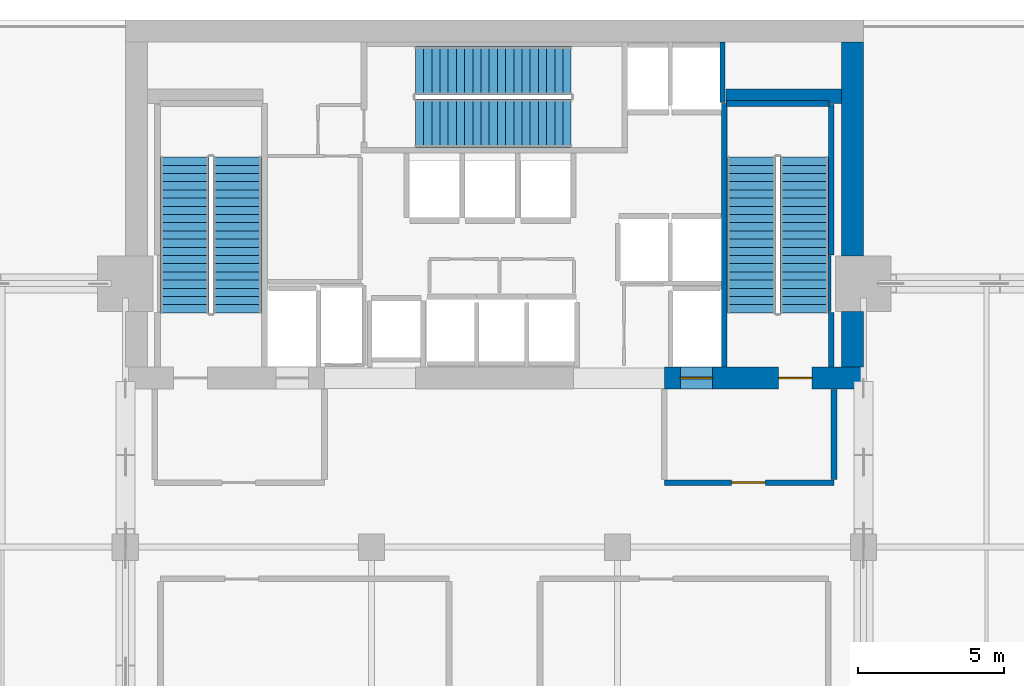
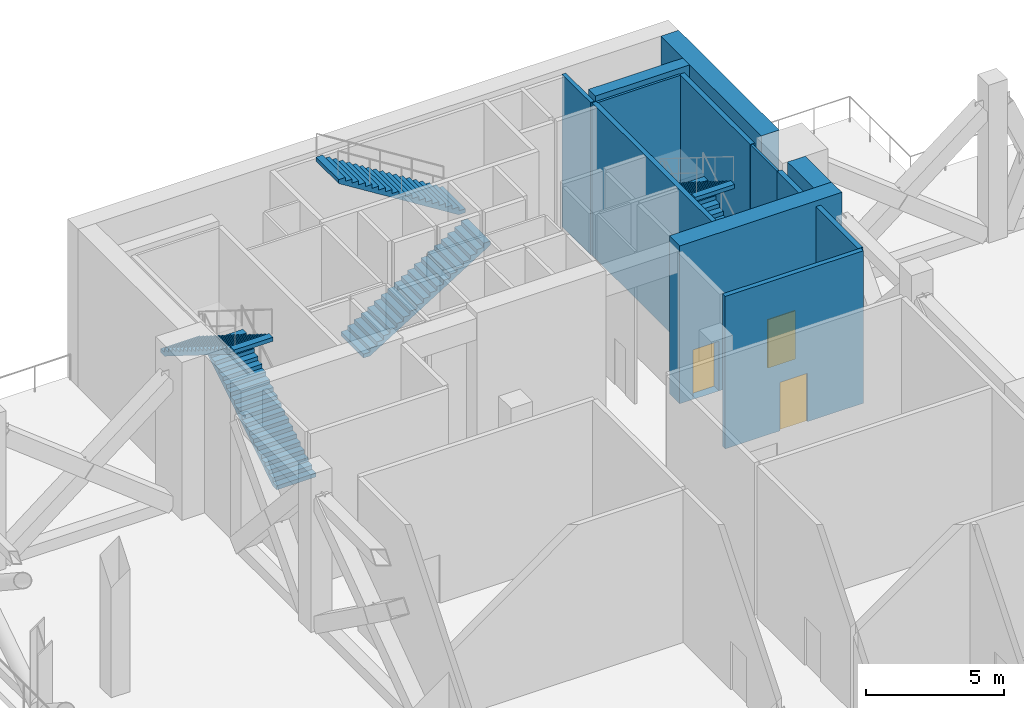
# One storey, part 11 of 14: 12 walls, 6 stair flights, 3 doors, 3 openings, 3 elements without a shape of their own.
"""IFC4 building model written with IfcOpenShell, lengths in metres."""

from ifc_helpers import new_model, si_unit, direction, frame, frame_2d, origin, place, context, subcontext, project, spatial, polyline, rectangle, outline, extrude, material, layer, layer_set, type_object, element, fill, aggregate, save


model = new_model("IFC4")

# Units and contexts
model_context = context("Model", 3, precision=1e-05, world=origin(), true_north=direction((0.0, 1.0)))
body_context = subcontext(model_context, "Body", "Model", "MODEL_VIEW")
ifc_project = project(units=[si_unit("LENGTHUNIT", "METRE"), si_unit("AREAUNIT", "SQUARE_METRE"), si_unit("VOLUMEUNIT", "CUBIC_METRE"), si_unit("PLANEANGLEUNIT", "RADIAN"), si_unit("MASSUNIT", "GRAM", prefix="KILO")], contexts=[model_context])

# Site, building, storey
site_placement = place(None, origin())
site = spatial("IfcSite", under=ifc_project, at=site_placement, CompositionType="ELEMENT")
building_placement = place(site_placement, origin())
building = spatial("IfcBuilding", under=site, at=building_placement, Name="Maruvema Waterfront Hotel and Observation Tower", CompositionType="ELEMENT")
storey_placement = place(building_placement, frame((0.0, 0.0, 227.5)))
storey = spatial("IfcBuildingStorey", under=building, at=storey_placement, Name="L56", CompositionType="ELEMENT", Elevation=227.5)

# Walls
ifc_material_1 = material(Name="Precast concrete C45/55", Category="concrete")
ifc_layer_1 = layer(ifc_material_1, 0.199951171875, Name="Core Shaft and Stairwell Enclosure Wall 200 mm")
ifc_layer_set_1 = layer_set([ifc_layer_1], Name="Precast concrete C45/55")
wall_type_1 = type_object("IfcWallType", Name="Core Shaft and Stairwell Enclosure Wall 200 mm", PredefinedType="SOLIDWALL", material=ifc_layer_set_1)
wall_1_placement = place(storey_placement, frame((45.64990234375, 42.14990234375, 0.0), z_axis=(0.0, 0.0, 1.0), x_axis=(0.0, 1.0, 0.0)))
element("IfcWall", 1, at=wall_1_placement, inside=storey, type_object=wall_type_1, Name="L56 Stairwell ST-03 West Shaft Wall", PredefinedType="SOLIDWALL", context=body_context, shape_type="SweptSolid", body=[
    extrude(rectangle(XDim=9.0, YDim=0.199951171875, at=frame_2d((4.5, 0.0))), origin(), (0.0, 0.0, 1.0), 6.760009765625),
])
wall_2_placement = place(storey_placement, frame((49.300048828125, 42.14990234375, 0.0), z_axis=(0.0, 0.0, 1.0), x_axis=(0.0, 1.0, 0.0)))
element("IfcWall", 2, at=wall_2_placement, inside=storey, type_object=wall_type_1, Name="L56 Stairwell ST-03 Shaft Lining Wall", PredefinedType="SOLIDWALL", context=body_context, shape_type="SweptSolid", body=[
    extrude(rectangle(XDim=1.8701171875, YDim=0.199951171875, at=frame_2d((0.93505859375, 0.0))), origin(), (0.0, 0.0, 1.0), 6.760009765625),
])
wall_3_placement = place(storey_placement, frame((49.300048828125, 45.97998046875, 0.0), z_axis=(0.0, 0.0, 1.0), x_axis=(0.0, 1.0, 0.0)))
element("IfcWall", 3, at=wall_3_placement, inside=storey, type_object=wall_type_1, Name="L56 Stairwell ST-03 Shaft Lining Wall", PredefinedType="SOLIDWALL", context=body_context, shape_type="SweptSolid", body=[
    extrude(rectangle(XDim=5.14013671875, YDim=0.199951171875, at=frame_2d((2.570068359375, 0.0))), origin(), (0.0, 0.0, 1.0), 6.760009765625),
])
wall_4_placement = place(storey_placement, frame((45.719970703125, 51.14990234375, 0.0), z_axis=(0.0, 0.0, 1.0), x_axis=(1.0, 0.0, 0.0)))
element("IfcWall", 4, at=wall_4_placement, inside=storey, type_object=wall_type_1, Name="L56 Stairwell ST-03 Shaft Lining Wall", PredefinedType="SOLIDWALL", context=body_context, shape_type="SweptSolid", body=[
    extrude(rectangle(XDim=3.5, YDim=0.199951171875, at=frame_2d((1.75, 0.0))), origin(), (0.0, 0.0, 1.0), 6.760009765625),
])
ifc_material_2 = material(Name="Concrete C70/85", Category="concrete")
ifc_layer_2 = layer(ifc_material_2, 0.5, Name="Core Shear Wall 500 mm")
ifc_layer_set_2 = layer_set([ifc_layer_2], Name="Concrete C70/85")
wall_type_2 = type_object("IfcWallType", Name="Core Shear Wall 500 mm", PredefinedType="SHEAR", material=ifc_layer_set_2)
wall_5_placement = place(storey_placement, frame((45.699951171875, 51.39990234375, 0.0), z_axis=(0.0, 0.0, 1.0), x_axis=(1.0, 0.0, 0.0)))
element("IfcWall", 5, at=wall_5_placement, inside=storey, type_object=wall_type_2, Name="L56 Internal Core Shear Wall NE 500 mm", PredefinedType="SHEAR", context=body_context, shape_type="SweptSolid", body=[
    extrude(rectangle(XDim=3.949951171875, YDim=0.5, at=frame_2d((1.97509765625, 0.0))), origin(), (0.0, 0.0, 1.0), 7.0),
])

# Wall, openings, doors
ifc_material_3 = material(Name="Concrete C70/85", Category="concrete")
ifc_layer_3 = layer(ifc_material_3, 0.75, Name="Core Shear Wall 750 mm")
ifc_layer_set_3 = layer_set([ifc_layer_3], Name="Concrete C70/85")
wall_type_3 = type_object("IfcWallType", Name="Core Shear Wall 750 mm", PredefinedType="SHEAR", material=ifc_layer_set_3)
wall_6_placement = place(storey_placement, frame((43.60009765625, 41.77490234375, 0.0), z_axis=(0.0, 0.0, 1.0), x_axis=(1.0, 0.0, 0.0)))
wall_6 = element("IfcWall", 6, at=wall_6_placement, inside=storey, type_object=wall_type_3, Name="L56 South-East Core Shear Wall", PredefinedType="SHEAR", context=body_context, shape_type="SweptSolid", body=[
    extrude(rectangle(XDim=6.7998046875, YDim=0.75, at=frame_2d((3.39990234375, 0.0))), origin(), (0.0, 0.0, 1.0), 7.0),
])
opening_1_placement = place(wall_6_placement, frame((3.89990234375, 0.0, 0.0)))
opening_1 = element("IfcOpeningElement", 7, at=opening_1_placement, cuts=wall_6, Name="Opening SD-01", PredefinedType="OPENING", context=body_context, shape_type="SweptSolid", body=[
    extrude(rectangle(XDim=1.14990234375, YDim=2.14990234375, at=frame_2d((0.574951171875, 1.074951171875))), frame((0.0, 0.385009765625, 0.0), z_axis=(0.0, -1.0, 0.0), x_axis=(1.0, 0.0, 0.0)), (0.0, 0.0, 1.0), 0.77001953125),
])
opening_2_placement = place(wall_6_placement, frame((0.550048828125, 0.0, 0.0)))
opening_2 = element("IfcOpeningElement", 8, at=opening_2_placement, cuts=wall_6, Name="Opening LD-03", PredefinedType="OPENING", context=body_context, shape_type="SweptSolid", body=[
    extrude(rectangle(XDim=1.10009765625, YDim=2.199951171875, at=frame_2d((0.550048828125, 1.10009765625))), frame((0.0, 0.385009765625, 0.0), z_axis=(0.0, -1.0, 0.0), x_axis=(1.0, 0.0, 0.0)), (0.0, 0.0, 1.0), 0.77001953125),
])
ifc_material_4 = material(Name="Fire-rated galvanised steel leaf", Category="steel")
door_type_1 = type_object("IfcDoorType", Name="Exit Stair Fire Door 1150x2150 mm", OperationType="NOTDEFINED", PredefinedType="DOOR", material=ifc_material_4)
door_1_placement = place(opening_1_placement, origin())
door_1 = element("IfcDoor", 9, at=door_1_placement, inside=storey, type_object=door_type_1, Name="L56 Exit Stair ST-03 Fire Door", OperationType="SINGLE_SWING_RIGHT", OverallHeight=2.14990234375, OverallWidth=1.14990234375, PredefinedType="DOOR", context=body_context, shape_type="SweptSolid", body=[
    extrude(rectangle(XDim=1.14990234375, YDim=2.14990234375, at=frame_2d((0.574951171875, 1.074951171875))), frame((0.0, 0.02490234375, 0.0), z_axis=(0.0, -1.0, 0.0), x_axis=(1.0, 0.0, 0.0)), (0.0, 0.0, 1.0), 0.050048828125),
])
fill(opening_1, door_1)
ifc_material_5 = material(Name="Brushed stainless steel Grade 316", Category="steel")
door_type_2 = type_object("IfcDoorType", Name="Firefighting Lift Sliding Landing Door 1100x2200 mm", OperationType="SLIDING_TO_LEFT", PredefinedType="DOOR", material=ifc_material_5)
door_2_placement = place(opening_2_placement, frame((1.10009765625, 0.0, 0.0), z_axis=(0.0, 0.0, 1.0), x_axis=(-1.0, 0.0, 0.0)))
door_2 = element("IfcDoor", 10, at=door_2_placement, inside=storey, type_object=door_type_2, Name="L56 Firefighting Lift FL-02 Landing Door", OperationType="SLIDING_TO_LEFT", OverallHeight=2.199951171875, OverallWidth=1.10009765625, PredefinedType="DOOR", context=body_context, shape_type="SweptSolid", body=[
    extrude(rectangle(XDim=1.10009765625, YDim=2.199951171875, at=frame_2d((0.550048828125, 1.10009765625))), frame((0.0, 0.02490234375, 0.0), z_axis=(0.0, -1.0, 0.0), x_axis=(1.0, 0.0, 0.0)), (0.0, 0.0, 1.0), 0.050048828125),
])
fill(opening_2, door_2)

# Walls
wall_7_placement = place(storey_placement, frame((50.02490234375, 42.14990234375, 0.0), z_axis=(0.0, 0.0, 1.0), x_axis=(0.0, 1.0, 0.0)))
element("IfcWall", 11, at=wall_7_placement, inside=storey, type_object=wall_type_3, Name="L56 East-South Core Shear Wall", PredefinedType="SHEAR", context=body_context, shape_type="SweptSolid", body=[
    extrude(rectangle(XDim=1.900146484375, YDim=0.75, at=frame_2d((0.9501953125, 0.0))), origin(), (0.0, 0.0, 1.0), 7.0),
])
wall_8_placement = place(storey_placement, frame((50.02490234375, 45.949951171875, 0.0), z_axis=(0.0, 0.0, 1.0), x_axis=(0.0, 1.0, 0.0)))
element("IfcWall", 12, at=wall_8_placement, inside=storey, type_object=wall_type_3, Name="L56 East-North Core Shear Wall", PredefinedType="SHEAR", context=body_context, shape_type="SweptSolid", body=[
    extrude(rectangle(XDim=7.300048828125, YDim=0.75, at=frame_2d((3.64990234375, 0.0))), origin(), (0.0, 0.0, 1.0), 7.0),
])

# Wall, opening, door
ifc_material_6 = material(Name="Autoclaved cellular concrete blockwork", Category="masonry")
ifc_layer_4 = layer(ifc_material_6, 0.199951171875, Name="Fire Compartment Masonry Wall 200 mm")
ifc_layer_set_4 = layer_set([ifc_layer_4], Name="Autoclaved cellular concrete blockwork")
wall_type_4 = type_object("IfcWallType", Name="Fire Compartment Masonry Wall 200 mm", PredefinedType="PARTITIONING", material=ifc_layer_set_4)
wall_9_placement = place(storey_placement, frame((43.60009765625, 38.199951171875, 0.0), z_axis=(0.0, 0.0, 1.0), x_axis=(1.0, 0.0, 0.0)))
wall_9 = element("IfcWall", 13, at=wall_9_placement, inside=storey, type_object=wall_type_4, Name="L56 FFL East South Wall 004", PredefinedType="PARTITIONING", context=body_context, shape_type="SweptSolid", body=[
    extrude(rectangle(XDim=5.7998046875, YDim=0.199951171875, at=frame_2d((2.89990234375, 0.0))), origin(), (0.0, 0.0, 1.0), 6.760009765625),
])
opening_3_placement = place(wall_9_placement, frame((2.300048828125, 0.0, 0.0)))
opening_3 = element("IfcOpeningElement", 14, at=opening_3_placement, cuts=wall_9, Name="Opening FD-115", PredefinedType="OPENING", context=body_context, shape_type="SweptSolid", body=[
    extrude(rectangle(XDim=1.14990234375, YDim=2.14990234375, at=frame_2d((0.574951171875, 1.074951171875))), frame((0.0, 0.10986328125, 0.0), z_axis=(0.0, -1.0, 0.0), x_axis=(1.0, 0.0, 0.0)), (0.0, 0.0, 1.0), 0.219970703125),
])
ifc_material_7 = material(Name="Fire-rated galvanised steel and vision glass", Category="steel")
door_type_3 = type_object("IfcDoorType", Name="Firefighting Lobby Fire Door 1150x2150 mm", OperationType="NOTDEFINED", PredefinedType="DOOR", material=ifc_material_7)
door_3_placement = place(opening_3_placement, frame((1.14990234375, 0.0, 0.0), z_axis=(0.0, 0.0, 1.0), x_axis=(-1.0, 0.0, 0.0)))
door_3 = element("IfcDoor", 15, at=door_3_placement, inside=storey, type_object=door_type_3, Name="L56 Firefighting Lobby East Door", OperationType="SINGLE_SWING_LEFT", OverallHeight=2.14990234375, OverallWidth=1.14990234375, PredefinedType="DOOR", context=body_context, shape_type="SweptSolid", body=[
    extrude(rectangle(XDim=1.14990234375, YDim=2.14990234375, at=frame_2d((0.574951171875, 1.074951171875))), frame((0.0, 0.02490234375, 0.0), z_axis=(0.0, -1.0, 0.0), x_axis=(1.0, 0.0, 0.0)), (0.0, 0.0, 1.0), 0.050048828125),
])
fill(opening_3, door_3)

# Walls
wall_10_placement = place(storey_placement, frame((49.39990234375, 38.31005859375, 0.0), z_axis=(0.0, 0.0, 1.0), x_axis=(0.0, 1.0, 0.0)))
element("IfcWall", 16, at=wall_10_placement, inside=storey, type_object=wall_type_4, Name="L56 FFL East East Wall 006", PredefinedType="PARTITIONING", context=body_context, shape_type="SweptSolid", body=[
    extrude(rectangle(XDim=3.06982421875, YDim=0.199951171875, at=frame_2d((1.534912109375, 0.0))), origin(), (0.0, 0.0, 1.0), 6.760009765625),
])
ifc_material_8 = material(Name="Precast concrete C45/55", Category="concrete")
ifc_layer_5 = layer(ifc_material_8, 0.159912109375, Name="Lift Hoistway Divider Wall 160 mm")
ifc_layer_set_5 = layer_set([ifc_layer_5], Name="Precast concrete C45/55")
wall_type_5 = type_object("IfcWallType", Name="Lift Hoistway Divider Wall 160 mm", PredefinedType="SOLIDWALL", material=ifc_layer_set_5)
wall_11_placement = place(storey_placement, frame((45.590087890625, 51.179931640625, 0.0), z_axis=(0.0, 0.0, 1.0), x_axis=(0.0, 1.0, 0.0)))
element("IfcWall", 17, at=wall_11_placement, inside=storey, type_object=wall_type_5, Name="L56 Hoistway Divider Wall", PredefinedType="SOLIDWALL", context=body_context, shape_type="SweptSolid", body=[
    extrude(rectangle(XDim=2.070068359375, YDim=0.159912109375, at=frame_2d((1.03515625, 0.0))), origin(), (0.0, 0.0, 1.0), 6.760009765625),
])
ifc_material_9 = material(Name="Precast concrete C45/55", Category="concrete")
ifc_layer_6 = layer(ifc_material_9, 0.10009765625, Name="Stairwell Stringer Cheek Wall 100 mm")
ifc_layer_set_6 = layer_set([ifc_layer_6], Name="Precast concrete C45/55")
wall_type_6 = type_object("IfcWallType", Name="Stairwell Stringer Cheek Wall 100 mm", PredefinedType="SOLIDWALL", material=ifc_layer_set_6)
wall_12_placement = place(storey_placement, frame((49.248046875, 44.0400390625, 0.0), z_axis=(0.0, 0.0, 1.0), x_axis=(0.0, 1.0, 0.0)))
element("IfcWall", 18, at=wall_12_placement, inside=storey, type_object=wall_type_6, Name="L56 Stairwell ST-03 Mega-Column Cheek Wall", PredefinedType="SOLIDWALL", context=body_context, shape_type="SweptSolid", body=[
    extrude(rectangle(XDim=1.919921875, YDim=0.10009765625, at=frame_2d((0.9599609375, 0.0))), origin(), (0.0, 0.0, 1.0), 6.760009765625),
])

# Stair, stair flights
ifc_material_10 = material(Name="Concrete C50/60", Category="concrete")
stair_type = type_object("IfcStairType", Name="Dogleg Exit Stair 1650 mm (40R x 175.0 mm)", PredefinedType="HALF_TURN_STAIR", material=ifc_material_10)
stair_1_placement = place(storey_placement, origin())
stair_1 = element("IfcStair", 19, at=stair_1_placement, inside=storey, type_object=stair_type, Name="L56 ST-01", PredefinedType="HALF_TURN_STAIR")
ifc_material_11 = material(Name="Concrete C50/60", Category="concrete")
stair_flight_type = type_object("IfcStairFlightType", Name="Reinforced Concrete Stair Flight 1650 mm (20R x 175.0 mm)", PredefinedType="STRAIGHT", material=ifc_material_11)
stair_flight_1_placement = place(storey_placement, frame((29.02490234375, 44.0, 0.0), z_axis=(0.0, 0.0, 1.0), x_axis=(0.0, 1.0, 0.0)))
stair_flight_1 = element("IfcStairFlight", 20, at=stair_flight_1_placement, type_object=stair_flight_type, Name="ST-01 flight 1", NumberOfRisers=20, NumberOfTreads=19, PredefinedType="STRAIGHT", RiserHeight=0.175, TreadLength=0.28, context=body_context, shape_type="SweptSolid", body=[
    extrude(outline(polyline([(0.0, 0.0), (0.0, 0.175048828125), (0.280029296875, 0.175048828125), (0.280029296875, 0.35009765625), (0.56005859375, 0.35009765625), (0.56005859375, 0.52490234375), (0.840087890625, 0.52490234375), (0.840087890625, 0.699951171875), (1.1201171875, 0.699951171875), (1.1201171875, 0.875), (1.39990234375, 0.875), (1.39990234375, 1.050048828125), (1.679931640625, 1.050048828125), (1.679931640625, 1.22509765625), (1.9599609375, 1.22509765625), (1.9599609375, 1.39990234375), (2.239990234375, 1.39990234375), (2.239990234375, 1.574951171875), (2.52001953125, 1.574951171875), (2.52001953125, 1.75), (2.800048828125, 1.75), (2.800048828125, 1.925048828125), (3.080078125, 1.925048828125), (3.080078125, 2.10009765625), (3.360107421875, 2.10009765625), (3.360107421875, 2.27490234375), (3.639892578125, 2.27490234375), (3.639892578125, 2.449951171875), (3.919921875, 2.449951171875), (3.919921875, 2.625), (4.199951171875, 2.625), (4.199951171875, 2.800048828125), (4.47998046875, 2.800048828125), (4.47998046875, 2.97509765625), (4.760009765625, 2.97509765625), (4.760009765625, 3.14990234375), (5.0400390625, 3.14990234375), (5.0400390625, 3.324951171875), (5.320068359375, 3.324951171875), (5.320068359375, 3.5), (5.320068359375, 3.148193359375), (0.28271484375, 0.0), (0.0, 0.0)])), frame((0.0, 0.824951171875, 0.0), z_axis=(0.0, -1.0, 0.0), x_axis=(1.0, 0.0, 0.0)), (0.0, 0.0, 1.0), 1.64990234375),
])
stair_flight_2_placement = place(storey_placement, frame((27.22509765625, 49.320068359375, 3.5), z_axis=(0.0, 0.0, 1.0), x_axis=(0.0, -1.0, 0.0)))
stair_flight_2 = element("IfcStairFlight", 21, at=stair_flight_2_placement, type_object=stair_flight_type, Name="ST-01 flight 2", NumberOfRisers=20, NumberOfTreads=19, PredefinedType="STRAIGHT", RiserHeight=0.175, TreadLength=0.28, context=body_context, shape_type="SweptSolid", body=[
    extrude(outline(polyline([(0.0, 0.0), (0.0, 0.175048828125), (0.280029296875, 0.175048828125), (0.280029296875, 0.35009765625), (0.56005859375, 0.35009765625), (0.56005859375, 0.52490234375), (0.840087890625, 0.52490234375), (0.840087890625, 0.699951171875), (1.1201171875, 0.699951171875), (1.1201171875, 0.875), (1.39990234375, 0.875), (1.39990234375, 1.050048828125), (1.679931640625, 1.050048828125), (1.679931640625, 1.22509765625), (1.9599609375, 1.22509765625), (1.9599609375, 1.39990234375), (2.239990234375, 1.39990234375), (2.239990234375, 1.574951171875), (2.52001953125, 1.574951171875), (2.52001953125, 1.75), (2.800048828125, 1.75), (2.800048828125, 1.925048828125), (3.080078125, 1.925048828125), (3.080078125, 2.10009765625), (3.360107421875, 2.10009765625), (3.360107421875, 2.27490234375), (3.639892578125, 2.27490234375), (3.639892578125, 2.449951171875), (3.919921875, 2.449951171875), (3.919921875, 2.625), (4.199951171875, 2.625), (4.199951171875, 2.800048828125), (4.47998046875, 2.800048828125), (4.47998046875, 2.97509765625), (4.760009765625, 2.97509765625), (4.760009765625, 3.14990234375), (5.0400390625, 3.14990234375), (5.0400390625, 3.324951171875), (5.320068359375, 3.324951171875), (5.320068359375, 3.5), (5.320068359375, 3.148193359375), (0.28271484375, 0.0), (0.0, 0.0)])), frame((0.0, 0.824951171875, 0.0), z_axis=(0.0, -1.0, 0.0), x_axis=(1.0, 0.0, 0.0)), (0.0, 0.0, 1.0), 1.64990234375),
])
aggregate(stair_1, [stair_flight_1, stair_flight_2])

stair_2_placement = place(storey_placement, origin())
stair_2 = element("IfcStair", 22, at=stair_2_placement, inside=storey, type_object=stair_type, Name="L56 ST-02", PredefinedType="HALF_TURN_STAIR")
stair_flight_3_placement = place(storey_placement, frame((35.10009765625, 50.47509765625, 0.0), z_axis=(0.0, 0.0, 1.0), x_axis=(1.0, 0.0, 0.0)))
stair_flight_3 = element("IfcStairFlight", 23, at=stair_flight_3_placement, type_object=stair_flight_type, Name="ST-02 flight 1", NumberOfRisers=20, NumberOfTreads=19, PredefinedType="STRAIGHT", RiserHeight=0.175, TreadLength=0.28, context=body_context, shape_type="SweptSolid", body=[
    extrude(outline(polyline([(0.0, 0.0), (0.0, 0.175048828125), (0.280029296875, 0.175048828125), (0.280029296875, 0.35009765625), (0.56005859375, 0.35009765625), (0.56005859375, 0.52490234375), (0.840087890625, 0.52490234375), (0.840087890625, 0.699951171875), (1.1201171875, 0.699951171875), (1.1201171875, 0.875), (1.39990234375, 0.875), (1.39990234375, 1.050048828125), (1.679931640625, 1.050048828125), (1.679931640625, 1.22509765625), (1.9599609375, 1.22509765625), (1.9599609375, 1.39990234375), (2.239990234375, 1.39990234375), (2.239990234375, 1.574951171875), (2.52001953125, 1.574951171875), (2.52001953125, 1.75), (2.800048828125, 1.75), (2.800048828125, 1.925048828125), (3.080078125, 1.925048828125), (3.080078125, 2.10009765625), (3.360107421875, 2.10009765625), (3.360107421875, 2.27490234375), (3.639892578125, 2.27490234375), (3.639892578125, 2.449951171875), (3.919921875, 2.449951171875), (3.919921875, 2.625), (4.199951171875, 2.625), (4.199951171875, 2.800048828125), (4.47998046875, 2.800048828125), (4.47998046875, 2.97509765625), (4.760009765625, 2.97509765625), (4.760009765625, 3.14990234375), (5.0400390625, 3.14990234375), (5.0400390625, 3.324951171875), (5.320068359375, 3.324951171875), (5.320068359375, 3.5), (5.320068359375, 3.148193359375), (0.28271484375, 0.0), (0.0, 0.0)])), frame((0.0, 0.824951171875, 0.0), z_axis=(0.0, -1.0, 0.0), x_axis=(1.0, 0.0, 0.0)), (0.0, 0.0, 1.0), 1.64990234375),
])
stair_flight_4_placement = place(storey_placement, frame((40.419921875, 52.27490234375, 3.5), z_axis=(0.0, 0.0, 1.0), x_axis=(-1.0, 0.0, 0.0)))
stair_flight_4 = element("IfcStairFlight", 24, at=stair_flight_4_placement, type_object=stair_flight_type, Name="ST-02 flight 2", NumberOfRisers=20, NumberOfTreads=19, PredefinedType="STRAIGHT", RiserHeight=0.175, TreadLength=0.28, context=body_context, shape_type="SweptSolid", body=[
    extrude(outline(polyline([(0.0, 0.0), (0.0, 0.175048828125), (0.280029296875, 0.175048828125), (0.280029296875, 0.35009765625), (0.56005859375, 0.35009765625), (0.56005859375, 0.52490234375), (0.840087890625, 0.52490234375), (0.840087890625, 0.699951171875), (1.1201171875, 0.699951171875), (1.1201171875, 0.875), (1.39990234375, 0.875), (1.39990234375, 1.050048828125), (1.679931640625, 1.050048828125), (1.679931640625, 1.22509765625), (1.9599609375, 1.22509765625), (1.9599609375, 1.39990234375), (2.239990234375, 1.39990234375), (2.239990234375, 1.574951171875), (2.52001953125, 1.574951171875), (2.52001953125, 1.75), (2.800048828125, 1.75), (2.800048828125, 1.925048828125), (3.080078125, 1.925048828125), (3.080078125, 2.10009765625), (3.360107421875, 2.10009765625), (3.360107421875, 2.27490234375), (3.639892578125, 2.27490234375), (3.639892578125, 2.449951171875), (3.919921875, 2.449951171875), (3.919921875, 2.625), (4.199951171875, 2.625), (4.199951171875, 2.800048828125), (4.47998046875, 2.800048828125), (4.47998046875, 2.97509765625), (4.760009765625, 2.97509765625), (4.760009765625, 3.14990234375), (5.0400390625, 3.14990234375), (5.0400390625, 3.324951171875), (5.320068359375, 3.324951171875), (5.320068359375, 3.5), (5.320068359375, 3.148193359375), (0.28271484375, 0.0), (0.0, 0.0)])), frame((0.0, 0.824951171875, 0.0), z_axis=(0.0, -1.0, 0.0), x_axis=(1.0, 0.0, 0.0)), (0.0, 0.0, 1.0), 1.64990234375),
])
aggregate(stair_2, [stair_flight_3, stair_flight_4])

stair_3_placement = place(storey_placement, origin())
stair_3 = element("IfcStair", 25, at=stair_3_placement, inside=storey, type_object=stair_type, Name="L56 ST-03", PredefinedType="HALF_TURN_STAIR")
stair_flight_5_placement = place(storey_placement, frame((48.375, 44.0, 0.0), z_axis=(0.0, 0.0, 1.0), x_axis=(0.0, 1.0, 0.0)))
stair_flight_5 = element("IfcStairFlight", 26, at=stair_flight_5_placement, type_object=stair_flight_type, Name="ST-03 flight 1", NumberOfRisers=20, NumberOfTreads=19, PredefinedType="STRAIGHT", RiserHeight=0.175, TreadLength=0.28, context=body_context, shape_type="SweptSolid", body=[
    extrude(outline(polyline([(0.0, 0.0), (0.0, 0.175048828125), (0.280029296875, 0.175048828125), (0.280029296875, 0.35009765625), (0.56005859375, 0.35009765625), (0.56005859375, 0.52490234375), (0.840087890625, 0.52490234375), (0.840087890625, 0.699951171875), (1.1201171875, 0.699951171875), (1.1201171875, 0.875), (1.39990234375, 0.875), (1.39990234375, 1.050048828125), (1.679931640625, 1.050048828125), (1.679931640625, 1.22509765625), (1.9599609375, 1.22509765625), (1.9599609375, 1.39990234375), (2.239990234375, 1.39990234375), (2.239990234375, 1.574951171875), (2.52001953125, 1.574951171875), (2.52001953125, 1.75), (2.800048828125, 1.75), (2.800048828125, 1.925048828125), (3.080078125, 1.925048828125), (3.080078125, 2.10009765625), (3.360107421875, 2.10009765625), (3.360107421875, 2.27490234375), (3.639892578125, 2.27490234375), (3.639892578125, 2.449951171875), (3.919921875, 2.449951171875), (3.919921875, 2.625), (4.199951171875, 2.625), (4.199951171875, 2.800048828125), (4.47998046875, 2.800048828125), (4.47998046875, 2.97509765625), (4.760009765625, 2.97509765625), (4.760009765625, 3.14990234375), (5.0400390625, 3.14990234375), (5.0400390625, 3.324951171875), (5.320068359375, 3.324951171875), (5.320068359375, 3.5), (5.320068359375, 3.148193359375), (0.28271484375, 0.0), (0.0, 0.0)])), frame((0.0, 0.824951171875, 0.0), z_axis=(0.0, -1.0, 0.0), x_axis=(1.0, 0.0, 0.0)), (0.0, 0.0, 1.0), 1.64990234375),
])
stair_flight_6_placement = place(storey_placement, frame((46.574951171875, 49.320068359375, 3.5), z_axis=(0.0, 0.0, 1.0), x_axis=(0.0, -1.0, 0.0)))
stair_flight_6 = element("IfcStairFlight", 27, at=stair_flight_6_placement, type_object=stair_flight_type, Name="ST-03 flight 2", NumberOfRisers=20, NumberOfTreads=19, PredefinedType="STRAIGHT", RiserHeight=0.175, TreadLength=0.28, context=body_context, shape_type="SweptSolid", body=[
    extrude(outline(polyline([(0.0, 0.0), (0.0, 0.175048828125), (0.280029296875, 0.175048828125), (0.280029296875, 0.35009765625), (0.56005859375, 0.35009765625), (0.56005859375, 0.52490234375), (0.840087890625, 0.52490234375), (0.840087890625, 0.699951171875), (1.1201171875, 0.699951171875), (1.1201171875, 0.875), (1.39990234375, 0.875), (1.39990234375, 1.050048828125), (1.679931640625, 1.050048828125), (1.679931640625, 1.22509765625), (1.9599609375, 1.22509765625), (1.9599609375, 1.39990234375), (2.239990234375, 1.39990234375), (2.239990234375, 1.574951171875), (2.52001953125, 1.574951171875), (2.52001953125, 1.75), (2.800048828125, 1.75), (2.800048828125, 1.925048828125), (3.080078125, 1.925048828125), (3.080078125, 2.10009765625), (3.360107421875, 2.10009765625), (3.360107421875, 2.27490234375), (3.639892578125, 2.27490234375), (3.639892578125, 2.449951171875), (3.919921875, 2.449951171875), (3.919921875, 2.625), (4.199951171875, 2.625), (4.199951171875, 2.800048828125), (4.47998046875, 2.800048828125), (4.47998046875, 2.97509765625), (4.760009765625, 2.97509765625), (4.760009765625, 3.14990234375), (5.0400390625, 3.14990234375), (5.0400390625, 3.324951171875), (5.320068359375, 3.324951171875), (5.320068359375, 3.5), (5.320068359375, 3.148193359375), (0.28271484375, 0.0), (0.0, 0.0)])), frame((0.0, 0.824951171875, 0.0), z_axis=(0.0, -1.0, 0.0), x_axis=(1.0, 0.0, 0.0)), (0.0, 0.0, 1.0), 1.64990234375),
])
aggregate(stair_3, [stair_flight_5, stair_flight_6])

save(model, "model.ifc")
